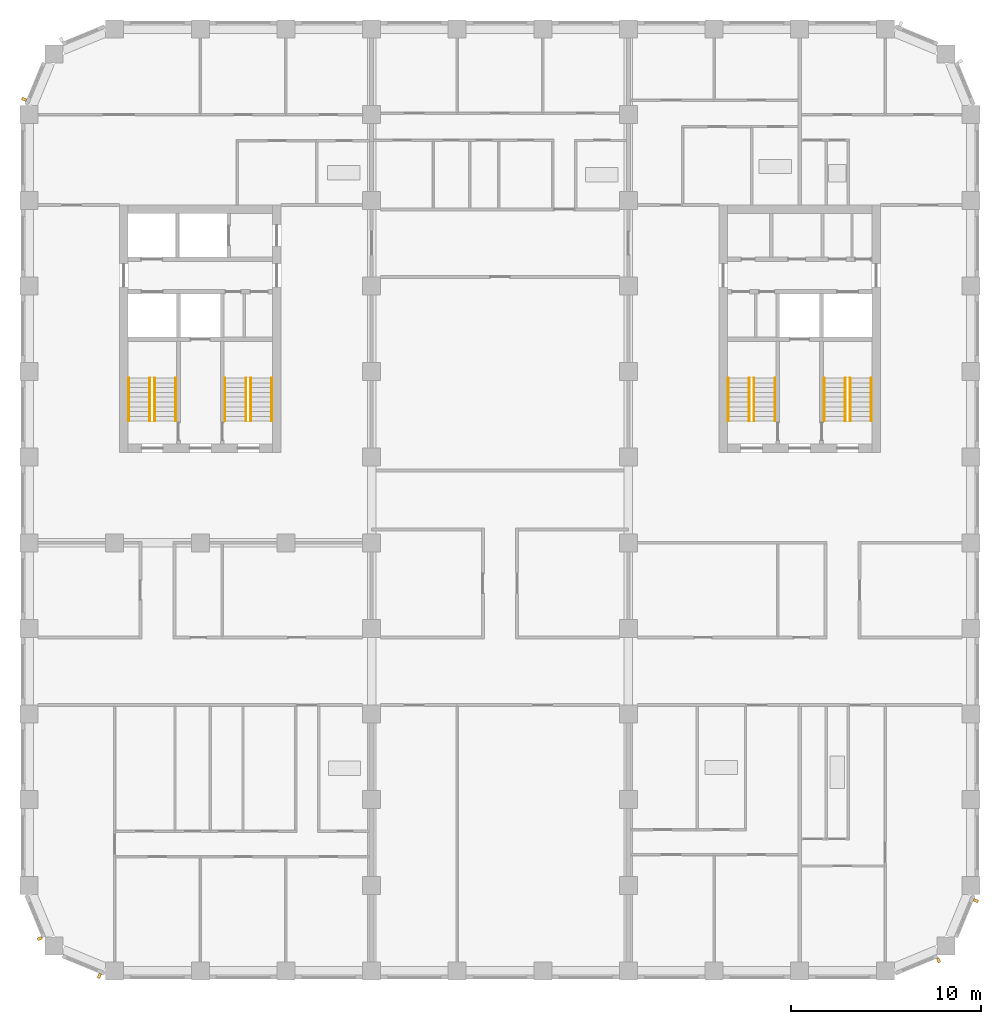
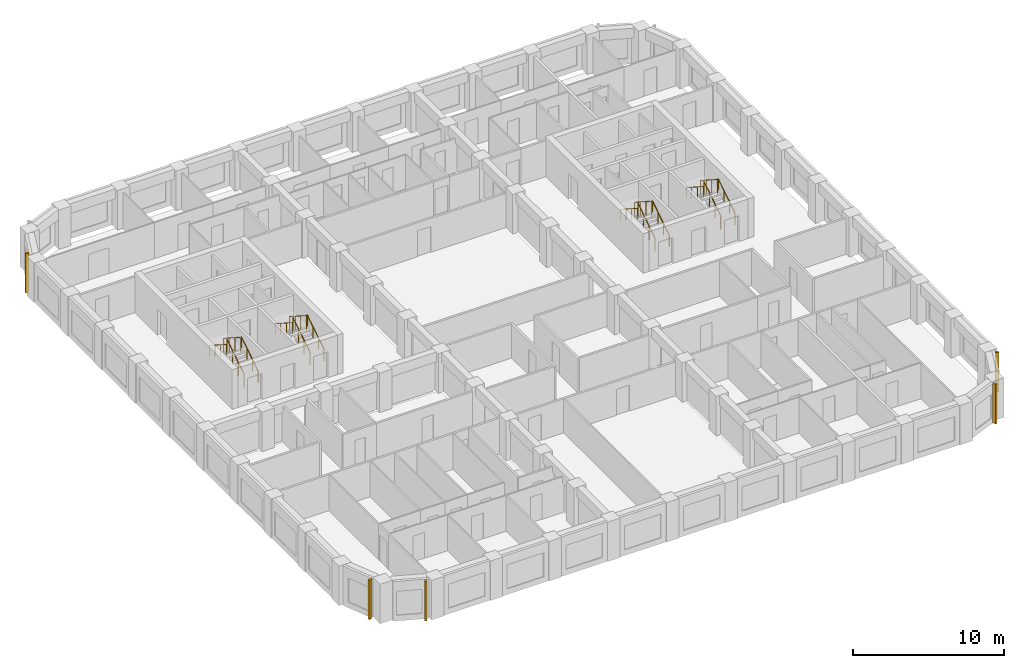
# One storey, part 11 of 13: 16 railings, 5 shading devices.
"""IFC4 building model written with IfcOpenShell, lengths in metres."""

from ifc_helpers import new_model, si_unit, direction, frame, origin, origin_2d, place, context, subcontext, project, spatial, rectangle, circle, extrude, material, type_object, element, save


model = new_model("IFC4")

# Units and contexts
model_context = context("Model", 3, precision=1e-05, world=origin(), true_north=direction((0.0, 1.0)))
body_context = subcontext(model_context, "Body", "Model", "MODEL_VIEW")
ifc_project = project(units=[si_unit("LENGTHUNIT", "METRE"), si_unit("AREAUNIT", "SQUARE_METRE"), si_unit("VOLUMEUNIT", "CUBIC_METRE"), si_unit("PLANEANGLEUNIT", "RADIAN"), si_unit("MASSUNIT", "GRAM", prefix="KILO")], contexts=[model_context])

# Site, building, storey
site_placement = place(None, origin())
site = spatial("IfcSite", under=ifc_project, at=site_placement, CompositionType="ELEMENT")
building_placement = place(site_placement, origin())
building = spatial("IfcBuilding", under=site, at=building_placement, Name="Girih Gate Residences", CompositionType="ELEMENT")
storey_placement = place(building_placement, frame((0.0, 0.0, 133.39990234375)))
storey = spatial("IfcBuildingStorey", under=building, at=storey_placement, Name="L37", CompositionType="ELEMENT", Elevation=133.39990234375)

# Shading devices
ifc_material_1 = material(Name="Precast concrete C50/60", Category="concrete")
shading_device_type = type_object("IfcShadingDeviceType", Name="Corner rib 150x250", PredefinedType="USERDEFINED", material=ifc_material_1)
for number, where, z_axis, x_axis, name in (
    (1, (0.562255859375, 1.705322265625, 0.0), (0.0, 0.0, 1.0), (0.382683432365, -0.923879532511, 0.0), "Corner rib SW0000_0045.0"),
    (2, (3.691650390625, -0.260498046875, 0.0), (0.0, 0.0, 1.0), (0.923879532511, -0.382683432365, 0.0), "Corner rib SW0013_0013.0"),
    (3, (47.794677734375, 0.562255859375, 0.0), (0.0, 0.0, 1.0), (0.923879532511, 0.382683432365, 0.0), "Corner rib SE0450_0000.0"),
    (4, (49.760498046875, 3.691650390625, 0.0), (0.0, 0.0, 1.0), (0.382683432365, 0.923879532511, 0.0), "Corner rib SE0482_0013.0"),
    (5, (-0.260498046875, 45.808349609375, 0.0), (0.0, 0.0, 1.0), (-0.382683432365, -0.923879532511, 0.0), "Corner rib NW0013_0482.0"),
):
    element("IfcShadingDevice", number, at=place(storey_placement, frame(where, z_axis=z_axis, x_axis=x_axis)), inside=storey, type_object=shading_device_type, Name=name, ObjectType="FIN", PredefinedType="USERDEFINED", context=body_context, shape_type="SweptSolid", body=[
        extrude(rectangle(XDim=0.14990234375, YDim=0.25, at=origin_2d()), origin(), (0.0, 0.0, 1.0), 3.199951171875),
    ])

# Railings
ifc_material_2 = material(Name="Stainless steel", Category="steel")
railing_type_1 = type_object("IfcRailingType", Name="Stair guard 1100", PredefinedType="GUARDRAIL", material=ifc_material_2)
railing_1_placement = place(storey_placement, frame((6.60009765625, 28.89990234375, 0.16015625)))
element("IfcRailing", 6, at=railing_1_placement, inside=storey, type_object=railing_type_1, Name="L37 ST-W1 stair guard 1", PredefinedType="GUARDRAIL", context=body_context, shape_type="SweptSolid", body=[
    extrude(circle(Radius=0.02392578125, at=origin_2d()), frame((0.0, 0.0, 1.076171875), z_axis=(0.0, 0.842281359387, 0.539038135598), x_axis=(-1.0, 0.0, 0.0)), (0.0, 0.0, 1.0), 2.67138671875),
    extrude(circle(Radius=0.02099609375, at=origin_2d()), origin(), (0.0, 0.0, 1.0), 1.052001953125),
    extrude(circle(Radius=0.02099609375, at=origin_2d()), frame((0.0, 0.75, 0.47998046875)), (0.0, 0.0, 1.0), 1.052001953125),
    extrude(circle(Radius=0.02099609375, at=origin_2d()), frame((0.0, 1.5, 0.9599609375)), (0.0, 0.0, 1.0), 1.052001953125),
    extrude(circle(Radius=0.02099609375, at=origin_2d()), frame((0.0, 2.25, 1.43994140625)), (0.0, 0.0, 1.0), 1.052001953125),
])
railing_2_placement = place(storey_placement, frame((6.35009765625, 31.14990234375, 1.760009765625)))
element("IfcRailing", 7, at=railing_2_placement, inside=storey, type_object=railing_type_1, Name="L37 ST-W1 stair guard 2", PredefinedType="GUARDRAIL", context=body_context, shape_type="SweptSolid", body=[
    extrude(circle(Radius=0.02392578125, at=origin_2d()), frame((0.0, 0.0, 1.076171875), z_axis=(0.0, -0.842239864353, 0.539102968731), x_axis=(1.0, 0.0, 0.0)), (0.0, 0.0, 1.0), 2.67138671875),
    extrude(circle(Radius=0.02099609375, at=origin_2d()), origin(), (0.0, 0.0, 1.0), 1.052001953125),
    extrude(circle(Radius=0.02099609375, at=origin_2d()), frame((0.0, -0.75, 0.47998046875)), (0.0, 0.0, 1.0), 1.052001953125),
    extrude(circle(Radius=0.02099609375, at=origin_2d()), frame((0.0, -1.5, 0.960205078125)), (0.0, 0.0, 1.0), 1.052001953125),
    extrude(circle(Radius=0.02099609375, at=origin_2d()), frame((0.0, -2.25, 1.440185546875)), (0.0, 0.0, 1.0), 1.052001953125),
])
railing_3_placement = place(storey_placement, frame((11.64990234375, 28.89990234375, 0.16015625)))
element("IfcRailing", 8, at=railing_3_placement, inside=storey, type_object=railing_type_1, Name="L37 ST-W2 stair guard 1", PredefinedType="GUARDRAIL", context=body_context, shape_type="SweptSolid", body=[
    extrude(circle(Radius=0.02392578125, at=origin_2d()), frame((0.0, 0.0, 1.076171875), z_axis=(0.0, 0.842281359387, 0.539038135598), x_axis=(-1.0, 0.0, 0.0)), (0.0, 0.0, 1.0), 2.67138671875),
    extrude(circle(Radius=0.02099609375, at=origin_2d()), origin(), (0.0, 0.0, 1.0), 1.052001953125),
    extrude(circle(Radius=0.02099609375, at=origin_2d()), frame((0.0, 0.75, 0.47998046875)), (0.0, 0.0, 1.0), 1.052001953125),
    extrude(circle(Radius=0.02099609375, at=origin_2d()), frame((0.0, 1.5, 0.9599609375)), (0.0, 0.0, 1.0), 1.052001953125),
    extrude(circle(Radius=0.02099609375, at=origin_2d()), frame((0.0, 2.25, 1.43994140625)), (0.0, 0.0, 1.0), 1.052001953125),
])
railing_4_placement = place(storey_placement, frame((11.39990234375, 31.14990234375, 1.760009765625)))
element("IfcRailing", 9, at=railing_4_placement, inside=storey, type_object=railing_type_1, Name="L37 ST-W2 stair guard 2", PredefinedType="GUARDRAIL", context=body_context, shape_type="SweptSolid", body=[
    extrude(circle(Radius=0.02392578125, at=origin_2d()), frame((0.0, 0.0, 1.076171875), z_axis=(0.0, -0.842239864353, 0.539102968731), x_axis=(1.0, 0.0, 0.0)), (0.0, 0.0, 1.0), 2.67138671875),
    extrude(circle(Radius=0.02099609375, at=origin_2d()), origin(), (0.0, 0.0, 1.0), 1.052001953125),
    extrude(circle(Radius=0.02099609375, at=origin_2d()), frame((0.0, -0.75, 0.47998046875)), (0.0, 0.0, 1.0), 1.052001953125),
    extrude(circle(Radius=0.02099609375, at=origin_2d()), frame((0.0, -1.5, 0.960205078125)), (0.0, 0.0, 1.0), 1.052001953125),
    extrude(circle(Radius=0.02099609375, at=origin_2d()), frame((0.0, -2.25, 1.440185546875)), (0.0, 0.0, 1.0), 1.052001953125),
])
railing_5_placement = place(storey_placement, frame((43.14990234375, 28.89990234375, 0.16015625)))
element("IfcRailing", 10, at=railing_5_placement, inside=storey, type_object=railing_type_1, Name="L37 ST-E1 stair guard 1", PredefinedType="GUARDRAIL", context=body_context, shape_type="SweptSolid", body=[
    extrude(circle(Radius=0.02392578125, at=origin_2d()), frame((0.0, 0.0, 1.076171875), z_axis=(0.0, 0.842281359387, 0.539038135598), x_axis=(-1.0, 0.0, 0.0)), (0.0, 0.0, 1.0), 2.67138671875),
    extrude(circle(Radius=0.02099609375, at=origin_2d()), origin(), (0.0, 0.0, 1.0), 1.052001953125),
    extrude(circle(Radius=0.02099609375, at=origin_2d()), frame((0.0, 0.75, 0.47998046875)), (0.0, 0.0, 1.0), 1.052001953125),
    extrude(circle(Radius=0.02099609375, at=origin_2d()), frame((0.0, 1.5, 0.9599609375)), (0.0, 0.0, 1.0), 1.052001953125),
    extrude(circle(Radius=0.02099609375, at=origin_2d()), frame((0.0, 2.25, 1.43994140625)), (0.0, 0.0, 1.0), 1.052001953125),
])
railing_6_placement = place(storey_placement, frame((42.89990234375, 31.14990234375, 1.760009765625)))
element("IfcRailing", 11, at=railing_6_placement, inside=storey, type_object=railing_type_1, Name="L37 ST-E1 stair guard 2", PredefinedType="GUARDRAIL", context=body_context, shape_type="SweptSolid", body=[
    extrude(circle(Radius=0.02392578125, at=origin_2d()), frame((0.0, 0.0, 1.076171875), z_axis=(0.0, -0.842239864353, 0.539102968731), x_axis=(1.0, 0.0, 0.0)), (0.0, 0.0, 1.0), 2.67138671875),
    extrude(circle(Radius=0.02099609375, at=origin_2d()), origin(), (0.0, 0.0, 1.0), 1.052001953125),
    extrude(circle(Radius=0.02099609375, at=origin_2d()), frame((0.0, -0.75, 0.47998046875)), (0.0, 0.0, 1.0), 1.052001953125),
    extrude(circle(Radius=0.02099609375, at=origin_2d()), frame((0.0, -1.5, 0.960205078125)), (0.0, 0.0, 1.0), 1.052001953125),
    extrude(circle(Radius=0.02099609375, at=origin_2d()), frame((0.0, -2.25, 1.440185546875)), (0.0, 0.0, 1.0), 1.052001953125),
])
railing_7_placement = place(storey_placement, frame((38.10009765625, 28.89990234375, 0.16015625)))
element("IfcRailing", 12, at=railing_7_placement, inside=storey, type_object=railing_type_1, Name="L37 ST-E2 stair guard 1", PredefinedType="GUARDRAIL", context=body_context, shape_type="SweptSolid", body=[
    extrude(circle(Radius=0.02392578125, at=origin_2d()), frame((0.0, 0.0, 1.076171875), z_axis=(0.0, 0.842281359387, 0.539038135598), x_axis=(-1.0, 0.0, 0.0)), (0.0, 0.0, 1.0), 2.67138671875),
    extrude(circle(Radius=0.02099609375, at=origin_2d()), origin(), (0.0, 0.0, 1.0), 1.052001953125),
    extrude(circle(Radius=0.02099609375, at=origin_2d()), frame((0.0, 0.75, 0.47998046875)), (0.0, 0.0, 1.0), 1.052001953125),
    extrude(circle(Radius=0.02099609375, at=origin_2d()), frame((0.0, 1.5, 0.9599609375)), (0.0, 0.0, 1.0), 1.052001953125),
    extrude(circle(Radius=0.02099609375, at=origin_2d()), frame((0.0, 2.25, 1.43994140625)), (0.0, 0.0, 1.0), 1.052001953125),
])
railing_8_placement = place(storey_placement, frame((37.85009765625, 31.14990234375, 1.760009765625)))
element("IfcRailing", 13, at=railing_8_placement, inside=storey, type_object=railing_type_1, Name="L37 ST-E2 stair guard 2", PredefinedType="GUARDRAIL", context=body_context, shape_type="SweptSolid", body=[
    extrude(circle(Radius=0.02392578125, at=origin_2d()), frame((0.0, 0.0, 1.076171875), z_axis=(0.0, -0.842239864353, 0.539102968731), x_axis=(1.0, 0.0, 0.0)), (0.0, 0.0, 1.0), 2.67138671875),
    extrude(circle(Radius=0.02099609375, at=origin_2d()), origin(), (0.0, 0.0, 1.0), 1.052001953125),
    extrude(circle(Radius=0.02099609375, at=origin_2d()), frame((0.0, -0.75, 0.47998046875)), (0.0, 0.0, 1.0), 1.052001953125),
    extrude(circle(Radius=0.02099609375, at=origin_2d()), frame((0.0, -1.5, 0.960205078125)), (0.0, 0.0, 1.0), 1.052001953125),
    extrude(circle(Radius=0.02099609375, at=origin_2d()), frame((0.0, -2.25, 1.440185546875)), (0.0, 0.0, 1.0), 1.052001953125),
])
railing_type_2 = type_object("IfcRailingType", Name="Stair handrail 900", PredefinedType="HANDRAIL", material=ifc_material_2)
railing_9_placement = place(storey_placement, frame((7.699951171875, 28.89990234375, 0.16015625)))
element("IfcRailing", 14, at=railing_9_placement, inside=storey, type_object=railing_type_2, Name="L37 ST-W1 stair handrail 1", PredefinedType="HANDRAIL", context=body_context, shape_type="SweptSolid", body=[
    extrude(circle(Radius=0.02392578125, at=origin_2d()), frame((0.0, 0.0, 0.8857421875), z_axis=(0.0, 0.842281359387, 0.539038135598), x_axis=(-1.0, 0.0, 0.0)), (0.0, 0.0, 1.0), 2.67138671875),
    extrude(circle(Radius=0.02099609375, at=origin_2d()), origin(), (0.0, 0.0, 1.0), 0.86181640625),
    extrude(circle(Radius=0.02099609375, at=origin_2d()), frame((0.0, 0.75, 0.47998046875)), (0.0, 0.0, 1.0), 0.86181640625),
    extrude(circle(Radius=0.02099609375, at=origin_2d()), frame((0.0, 1.5, 0.9599609375)), (0.0, 0.0, 1.0), 0.86181640625),
    extrude(circle(Radius=0.02099609375, at=origin_2d()), frame((0.0, 2.25, 1.43994140625)), (0.0, 0.0, 1.0), 0.86181640625),
])
railing_10_placement = place(storey_placement, frame((5.25, 31.14990234375, 1.760009765625)))
element("IfcRailing", 15, at=railing_10_placement, inside=storey, type_object=railing_type_2, Name="L37 ST-W1 stair handrail 2", PredefinedType="HANDRAIL", context=body_context, shape_type="SweptSolid", body=[
    extrude(circle(Radius=0.02392578125, at=origin_2d()), frame((0.0, 0.0, 0.8857421875), z_axis=(0.0, -0.842239864353, 0.539102968731), x_axis=(1.0, 0.0, 0.0)), (0.0, 0.0, 1.0), 2.67138671875),
    extrude(circle(Radius=0.02099609375, at=origin_2d()), origin(), (0.0, 0.0, 1.0), 0.86181640625),
    extrude(circle(Radius=0.02099609375, at=origin_2d()), frame((0.0, -0.75, 0.47998046875)), (0.0, 0.0, 1.0), 0.86181640625),
    extrude(circle(Radius=0.02099609375, at=origin_2d()), frame((0.0, -1.5, 0.960205078125)), (0.0, 0.0, 1.0), 0.86181640625),
    extrude(circle(Radius=0.02099609375, at=origin_2d()), frame((0.0, -2.25, 1.440185546875)), (0.0, 0.0, 1.0), 0.86181640625),
])
railing_11_placement = place(storey_placement, frame((12.75, 28.89990234375, 0.16015625)))
element("IfcRailing", 16, at=railing_11_placement, inside=storey, type_object=railing_type_2, Name="L37 ST-W2 stair handrail 1", PredefinedType="HANDRAIL", context=body_context, shape_type="SweptSolid", body=[
    extrude(circle(Radius=0.02392578125, at=origin_2d()), frame((0.0, 0.0, 0.8857421875), z_axis=(0.0, 0.842281359387, 0.539038135598), x_axis=(-1.0, 0.0, 0.0)), (0.0, 0.0, 1.0), 2.67138671875),
    extrude(circle(Radius=0.02099609375, at=origin_2d()), origin(), (0.0, 0.0, 1.0), 0.86181640625),
    extrude(circle(Radius=0.02099609375, at=origin_2d()), frame((0.0, 0.75, 0.47998046875)), (0.0, 0.0, 1.0), 0.86181640625),
    extrude(circle(Radius=0.02099609375, at=origin_2d()), frame((0.0, 1.5, 0.9599609375)), (0.0, 0.0, 1.0), 0.86181640625),
    extrude(circle(Radius=0.02099609375, at=origin_2d()), frame((0.0, 2.25, 1.43994140625)), (0.0, 0.0, 1.0), 0.86181640625),
])
railing_12_placement = place(storey_placement, frame((10.300048828125, 31.14990234375, 1.760009765625)))
element("IfcRailing", 17, at=railing_12_placement, inside=storey, type_object=railing_type_2, Name="L37 ST-W2 stair handrail 2", PredefinedType="HANDRAIL", context=body_context, shape_type="SweptSolid", body=[
    extrude(circle(Radius=0.02392578125, at=origin_2d()), frame((0.0, 0.0, 0.8857421875), z_axis=(0.0, -0.842239864353, 0.539102968731), x_axis=(1.0, 0.0, 0.0)), (0.0, 0.0, 1.0), 2.67138671875),
    extrude(circle(Radius=0.02099609375, at=origin_2d()), origin(), (0.0, 0.0, 1.0), 0.86181640625),
    extrude(circle(Radius=0.02099609375, at=origin_2d()), frame((0.0, -0.75, 0.47998046875)), (0.0, 0.0, 1.0), 0.86181640625),
    extrude(circle(Radius=0.02099609375, at=origin_2d()), frame((0.0, -1.5, 0.960205078125)), (0.0, 0.0, 1.0), 0.86181640625),
    extrude(circle(Radius=0.02099609375, at=origin_2d()), frame((0.0, -2.25, 1.440185546875)), (0.0, 0.0, 1.0), 0.86181640625),
])
railing_13_placement = place(storey_placement, frame((44.25, 28.89990234375, 0.16015625)))
element("IfcRailing", 18, at=railing_13_placement, inside=storey, type_object=railing_type_2, Name="L37 ST-E1 stair handrail 1", PredefinedType="HANDRAIL", context=body_context, shape_type="SweptSolid", body=[
    extrude(circle(Radius=0.02392578125, at=origin_2d()), frame((0.0, 0.0, 0.8857421875), z_axis=(0.0, 0.842281359387, 0.539038135598), x_axis=(-1.0, 0.0, 0.0)), (0.0, 0.0, 1.0), 2.67138671875),
    extrude(circle(Radius=0.02099609375, at=origin_2d()), origin(), (0.0, 0.0, 1.0), 0.86181640625),
    extrude(circle(Radius=0.02099609375, at=origin_2d()), frame((0.0, 0.75, 0.47998046875)), (0.0, 0.0, 1.0), 0.86181640625),
    extrude(circle(Radius=0.02099609375, at=origin_2d()), frame((0.0, 1.5, 0.9599609375)), (0.0, 0.0, 1.0), 0.86181640625),
    extrude(circle(Radius=0.02099609375, at=origin_2d()), frame((0.0, 2.25, 1.43994140625)), (0.0, 0.0, 1.0), 0.86181640625),
])
railing_14_placement = place(storey_placement, frame((41.800048828125, 31.14990234375, 1.760009765625)))
element("IfcRailing", 19, at=railing_14_placement, inside=storey, type_object=railing_type_2, Name="L37 ST-E1 stair handrail 2", PredefinedType="HANDRAIL", context=body_context, shape_type="SweptSolid", body=[
    extrude(circle(Radius=0.02392578125, at=origin_2d()), frame((0.0, 0.0, 0.8857421875), z_axis=(0.0, -0.842239864353, 0.539102968731), x_axis=(1.0, 0.0, 0.0)), (0.0, 0.0, 1.0), 2.67138671875),
    extrude(circle(Radius=0.02099609375, at=origin_2d()), origin(), (0.0, 0.0, 1.0), 0.86181640625),
    extrude(circle(Radius=0.02099609375, at=origin_2d()), frame((0.0, -0.75, 0.47998046875)), (0.0, 0.0, 1.0), 0.86181640625),
    extrude(circle(Radius=0.02099609375, at=origin_2d()), frame((0.0, -1.5, 0.960205078125)), (0.0, 0.0, 1.0), 0.86181640625),
    extrude(circle(Radius=0.02099609375, at=origin_2d()), frame((0.0, -2.25, 1.440185546875)), (0.0, 0.0, 1.0), 0.86181640625),
])
railing_15_placement = place(storey_placement, frame((39.199951171875, 28.89990234375, 0.16015625)))
element("IfcRailing", 20, at=railing_15_placement, inside=storey, type_object=railing_type_2, Name="L37 ST-E2 stair handrail 1", PredefinedType="HANDRAIL", context=body_context, shape_type="SweptSolid", body=[
    extrude(circle(Radius=0.02392578125, at=origin_2d()), frame((0.0, 0.0, 0.8857421875), z_axis=(0.0, 0.842281359387, 0.539038135598), x_axis=(-1.0, 0.0, 0.0)), (0.0, 0.0, 1.0), 2.67138671875),
    extrude(circle(Radius=0.02099609375, at=origin_2d()), origin(), (0.0, 0.0, 1.0), 0.86181640625),
    extrude(circle(Radius=0.02099609375, at=origin_2d()), frame((0.0, 0.75, 0.47998046875)), (0.0, 0.0, 1.0), 0.86181640625),
    extrude(circle(Radius=0.02099609375, at=origin_2d()), frame((0.0, 1.5, 0.9599609375)), (0.0, 0.0, 1.0), 0.86181640625),
    extrude(circle(Radius=0.02099609375, at=origin_2d()), frame((0.0, 2.25, 1.43994140625)), (0.0, 0.0, 1.0), 0.86181640625),
])
railing_16_placement = place(storey_placement, frame((36.75, 31.14990234375, 1.760009765625)))
element("IfcRailing", 21, at=railing_16_placement, inside=storey, type_object=railing_type_2, Name="L37 ST-E2 stair handrail 2", PredefinedType="HANDRAIL", context=body_context, shape_type="SweptSolid", body=[
    extrude(circle(Radius=0.02392578125, at=origin_2d()), frame((0.0, 0.0, 0.8857421875), z_axis=(0.0, -0.842239864353, 0.539102968731), x_axis=(1.0, 0.0, 0.0)), (0.0, 0.0, 1.0), 2.67138671875),
    extrude(circle(Radius=0.02099609375, at=origin_2d()), origin(), (0.0, 0.0, 1.0), 0.86181640625),
    extrude(circle(Radius=0.02099609375, at=origin_2d()), frame((0.0, -0.75, 0.47998046875)), (0.0, 0.0, 1.0), 0.86181640625),
    extrude(circle(Radius=0.02099609375, at=origin_2d()), frame((0.0, -1.5, 0.960205078125)), (0.0, 0.0, 1.0), 0.86181640625),
    extrude(circle(Radius=0.02099609375, at=origin_2d()), frame((0.0, -2.25, 1.440185546875)), (0.0, 0.0, 1.0), 0.86181640625),
])

save(model, "model.ifc")
